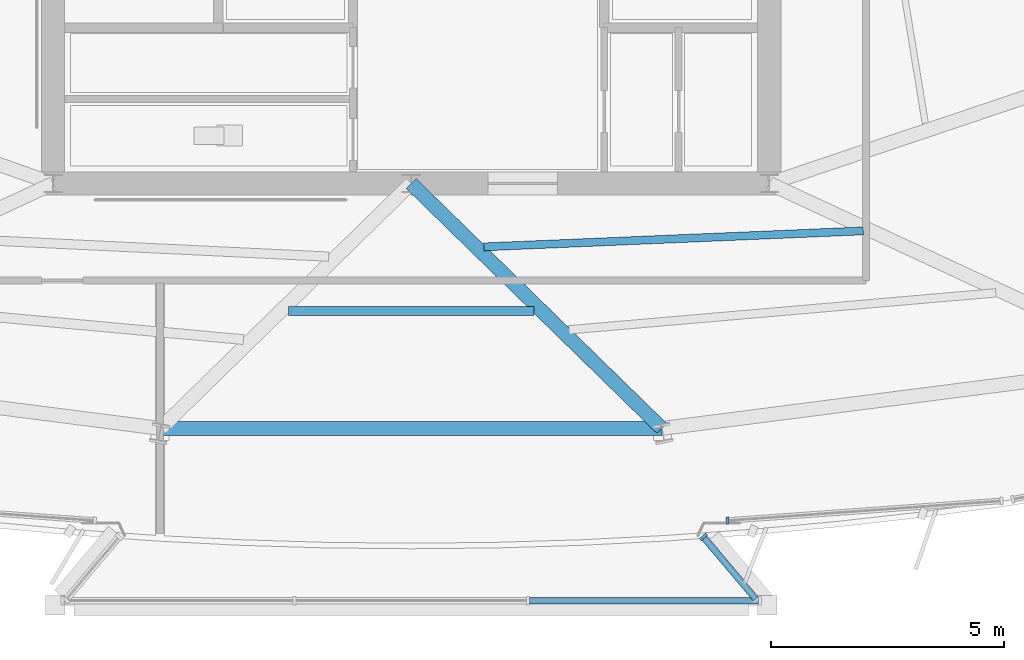
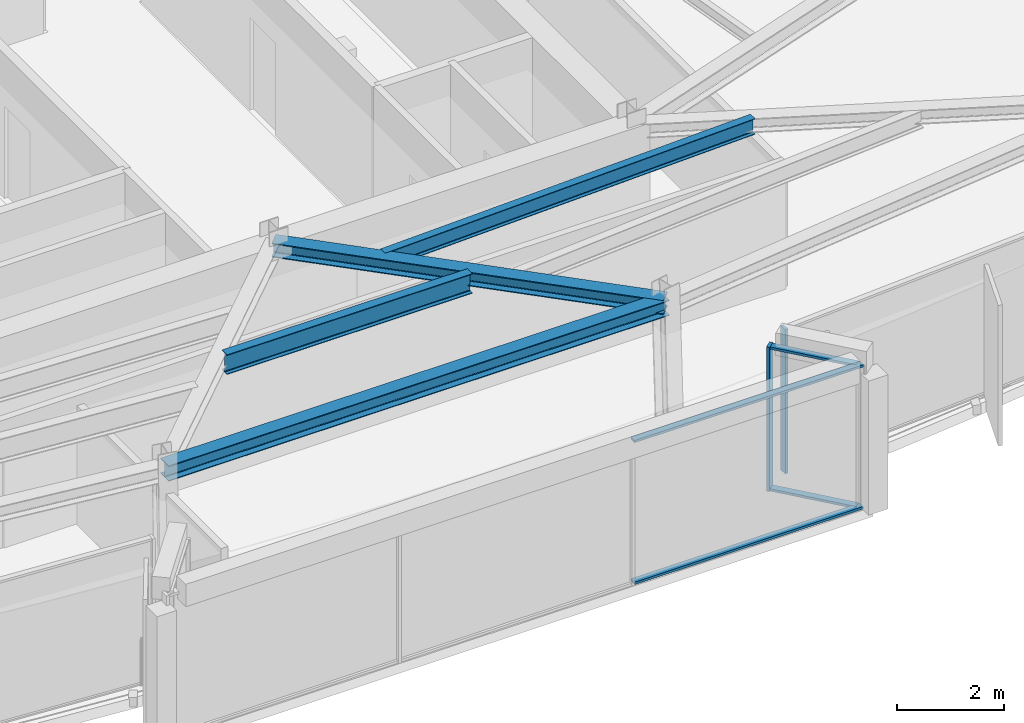
# One storey, part 3 of 14: 6 members, 4 beams, 3 elements without a shape of their own.
"""IFC4 building model written with IfcOpenShell, lengths in metres."""

from ifc_helpers import new_model, si_unit, direction, frame, origin, origin_2d, place, context, subcontext, project, spatial, rectangle, i_section, extrude, material, material_profile, profile_set, type_object, element, aggregate, save


model = new_model("IFC4")

# Units and contexts
model_context = context("Model", 3, precision=1e-05, world=origin(), true_north=direction((0.0, 1.0)))
body_context = subcontext(model_context, "Body", "Model", "MODEL_VIEW")
ifc_project = project(units=[si_unit("LENGTHUNIT", "METRE"), si_unit("AREAUNIT", "SQUARE_METRE"), si_unit("VOLUMEUNIT", "CUBIC_METRE"), si_unit("PLANEANGLEUNIT", "RADIAN"), si_unit("MASSUNIT", "GRAM", prefix="KILO")], contexts=[model_context])

# Site, building, storey
site_placement = place(None, origin())
site = spatial("IfcSite", under=ifc_project, at=site_placement, CompositionType="ELEMENT")
building_placement = place(site_placement, origin())
building = spatial("IfcBuilding", under=site, at=building_placement, Name="Savorim Split Tower", CompositionType="ELEMENT")
storey_placement = place(building_placement, frame((0.0, 0.0, 237.89990234375)))
storey = spatial("IfcBuildingStorey", under=building, at=storey_placement, Name="L63", CompositionType="ELEMENT", Elevation=237.89990234375)

# Beams
ifc_material_1 = material(Name="Steel S355", Category="steel")
ifc_material_profile_1 = material_profile(ifc_material_1, i_section(OverallWidth=0.169921875, OverallDepth=0.360107421875, WebThickness=0.008056640625, FlangeThickness=0.0126953125, FilletRadius=0.01806640625, at=origin_2d()), Name="IPE 360")
ifc_profile_set_1 = profile_set([ifc_material_profile_1], Name="Steel S355")
beam_type_1 = type_object("IfcBeamType", Name="BM-JST-IPE360", PredefinedType="JOIST", material=ifc_profile_set_1)
beam_1_placement = place(storey_placement, frame((1.560791015625, -10.76220703125, 3.10009765625), z_axis=(0.999114578305, 0.042072074093, 0.0), x_axis=(-0.042072074093, 0.999114578305, 0.0)))
element("IfcBeam", 1, at=beam_1_placement, inside=storey, type_object=beam_type_1, Name="L63 Secondary Floor Joist JS-05", PredefinedType="JOIST", context=body_context, shape_type="SweptSolid", body=[
    extrude(i_section(OverallWidth=0.169921875, OverallDepth=0.360107421875, WebThickness=0.008056640625, FlangeThickness=0.0126953125, FilletRadius=0.01806640625, at=origin_2d()), origin(), (0.0, 0.0, 1.0), 8.164794921875),
])
ifc_material_profile_2 = material_profile(ifc_material_1, i_section(OverallWidth=0.18994140625, OverallDepth=0.449951171875, WebThickness=0.009521484375, FlangeThickness=0.0146484375, FilletRadius=0.02099609375, at=origin_2d()), Name="IPE 450")
ifc_profile_set_2 = profile_set([ifc_material_profile_2], Name="Steel S355")
beam_type_2 = type_object("IfcBeamType", Name="BM-JST-IPE450", PredefinedType="JOIST", material=ifc_profile_set_2)
beam_2_placement = place(storey_placement, frame((-2.64208984375, -12.137939453125, 3.05517578125), z_axis=(1.0, 0.0, 0.0), x_axis=(0.0, 1.0, 0.0)))
element("IfcBeam", 2, at=beam_2_placement, inside=storey, type_object=beam_type_2, Name="L63 Secondary Floor Joist JS-03", PredefinedType="JOIST", context=body_context, shape_type="SweptSolid", body=[
    extrude(i_section(OverallWidth=0.18994140625, OverallDepth=0.449951171875, WebThickness=0.009521484375, FlangeThickness=0.0146484375, FilletRadius=0.02099609375, at=origin_2d()), origin(), (0.0, 0.0, 1.0), 5.2841796875),
])
ifc_material_profile_3 = material_profile(ifc_material_1, i_section(OverallWidth=0.300048828125, OverallDepth=0.320068359375, WebThickness=0.011474609375, FlangeThickness=0.0205078125, FilletRadius=0.027099609375, at=origin_2d()), Name="HEB 320")
ifc_profile_set_3 = profile_set([ifc_material_profile_3], Name="Steel S355")
beam_type_3 = type_object("IfcBeamType", Name="BM-PRI-HEB320", PredefinedType="BEAM", material=ifc_profile_set_3)
beam_3_placement = place(storey_placement, frame((5.388427734375, -14.665283203125, 3.1201171875), z_axis=(-0.715225856965, 0.698893392106, 0.0), x_axis=(-0.698893392106, -0.715225856965, 0.0)))
element("IfcBeam", 3, at=beam_3_placement, inside=storey, type_object=beam_type_3, Name="L63 Primary Floor Girder RG-03", PredefinedType="BEAM", context=body_context, shape_type="SweptSolid", body=[
    extrude(i_section(OverallWidth=0.300048828125, OverallDepth=0.320068359375, WebThickness=0.011474609375, FlangeThickness=0.0205078125, FilletRadius=0.027099609375, at=origin_2d()), origin(), (0.0, 0.0, 1.0), 7.533935546875),
])
ifc_material_profile_4 = material_profile(ifc_material_1, i_section(OverallWidth=0.300048828125, OverallDepth=0.35009765625, WebThickness=0.010009765625, FlangeThickness=0.017578125, FilletRadius=0.027099609375, at=origin_2d()), Name="HEA 360")
ifc_profile_set_4 = profile_set([ifc_material_profile_4], Name="Steel S355")
beam_type_4 = type_object("IfcBeamType", Name="BM-SPN-HEA360", PredefinedType="SPANDREL", material=ifc_profile_set_4)
beam_4_placement = place(storey_placement, frame((-5.388427734375, -14.665283203125, 3.10498046875), z_axis=(1.0, 0.0, 0.0), x_axis=(0.0, 1.0, 0.0)))
element("IfcBeam", 4, at=beam_4_placement, inside=storey, type_object=beam_type_4, Name="L63 Perimeter Spandrel Beam 2", PredefinedType="SPANDREL", context=body_context, shape_type="SweptSolid", body=[
    extrude(i_section(OverallWidth=0.300048828125, OverallDepth=0.35009765625, WebThickness=0.010009765625, FlangeThickness=0.017578125, FilletRadius=0.027099609375, at=origin_2d()), origin(), (0.0, 0.0, 1.0), 10.77685546875),
])

# Curtain wall, member
ifc_material_2 = material(Name="Dark Ceramic-Fritted Insulated Glass", Category="glass")
curtain_wall_type_1 = type_object("IfcCurtainWallType", Name="CW-TWR-FRIT-B", PredefinedType="NOTDEFINED", material=ifc_material_2)
curtain_wall_1_placement = place(storey_placement, origin())
curtain_wall_1 = element("IfcCurtainWall", 5, at=curtain_wall_1_placement, inside=storey, type_object=curtain_wall_type_1, Name="L63 Curtain Wall CW-L63-SF3A", PredefinedType="NOTDEFINED")
ifc_material_3 = material(Name="Charcoal Anodised Aluminium", Category="aluminium")
ifc_material_profile_5 = material_profile(ifc_material_3, rectangle(XDim=0.159912109375, YDim=0.06005859375, at=origin_2d()), Name="ALU-M 160x60")
ifc_profile_set_5 = profile_set([ifc_material_profile_5], Name="Charcoal Anodised Aluminium")
member_type_1 = type_object("IfcMemberType", Name="CWM-160x60", PredefinedType="MULLION", material=ifc_profile_set_5)
member_1_placement = place(storey_placement, frame((6.801513671875, -16.64453125, 0.0), z_axis=(0.0, 0.0, 1.0), x_axis=(-0.071557956097, 0.997436443549, 0.0)))
member_1 = element("IfcMember", 6, at=member_1_placement, type_object=member_type_1, Name="CW-03 mullion 1", PredefinedType="MULLION", context=body_context, shape_type="SweptSolid", body=[
    extrude(rectangle(XDim=0.159912109375, YDim=0.06005859375, at=origin_2d()), origin(), (0.0, 0.0, 1.0), 3.280029296875),
])
aggregate(curtain_wall_1, [member_1])

curtain_wall_type_2 = type_object("IfcCurtainWallType", Name="CW-BAY-LOUNGE", PredefinedType="NOTDEFINED", material=ifc_material_2)
curtain_wall_2_placement = place(storey_placement, origin())
curtain_wall_2 = element("IfcCurtainWall", 7, at=curtain_wall_2_placement, inside=storey, type_object=curtain_wall_type_2, Name="L63 Curtain Wall CW-L63-BAYE", PredefinedType="NOTDEFINED")
ifc_material_profile_6 = material_profile(ifc_material_3, rectangle(XDim=0.179931640625, YDim=0.06494140625, at=origin_2d()), Name="ALU-M 180x65")
ifc_profile_set_6 = profile_set([ifc_material_profile_6], Name="Charcoal Anodised Aluminium")
member_type_2 = type_object("IfcMemberType", Name="CWM-180x65", PredefinedType="MULLION", material=ifc_profile_set_6)
member_2_placement = place(storey_placement, frame((6.28271484375, -16.998046875, 0.0), z_axis=(0.0, 0.0, 1.0), x_axis=(-0.764177330189, -0.645006207741, 0.0)))
member_2 = element("IfcMember", 8, at=member_2_placement, type_object=member_type_2, Name="CW-04 mullion 2", PredefinedType="MULLION", context=body_context, shape_type="SweptSolid", body=[
    extrude(rectangle(XDim=0.179931640625, YDim=0.06494140625, at=origin_2d()), origin(), (0.0, 0.0, 1.0), 3.280029296875),
])

# Curtain wall, members
curtain_wall_3_placement = place(storey_placement, origin())
curtain_wall_3 = element("IfcCurtainWall", 9, at=curtain_wall_3_placement, inside=storey, type_object=curtain_wall_type_2, Name="L63 Curtain Wall CW-L63-BAYF", PredefinedType="NOTDEFINED")
ifc_material_profile_7 = material_profile(ifc_material_3, rectangle(XDim=0.139892578125, YDim=0.054931640625, at=origin_2d()), Name="ALU-T 140x55")
ifc_profile_set_7 = profile_set([ifc_material_profile_7], Name="Charcoal Anodised Aluminium")
member_type_3 = type_object("IfcMemberType", Name="CWT-140x55", PredefinedType="USERDEFINED", material=ifc_profile_set_7)
member_3_placement = place(storey_placement, frame((2.5439453125, -18.36767578125, 0.027587890625), z_axis=(1.0, 0.0, 0.0), x_axis=(0.0, 1.0, 0.0)))
member_3 = element("IfcMember", 10, at=member_3_placement, type_object=member_type_3, Name="CW-04 transom 3.1", ObjectType="TRANSOM", PredefinedType="USERDEFINED", context=body_context, shape_type="SweptSolid", body=[
    extrude(rectangle(XDim=0.139892578125, YDim=0.054931640625, at=origin_2d()), origin(), (0.0, 0.0, 1.0), 4.925048828125),
])
member_4_placement = place(storey_placement, frame((2.5439453125, -18.36767578125, 3.252685546875), z_axis=(1.0, 0.0, 0.0), x_axis=(0.0, 1.0, 0.0)))
member_4 = element("IfcMember", 11, at=member_4_placement, type_object=member_type_3, Name="CW-04 transom 3.2", ObjectType="TRANSOM", PredefinedType="USERDEFINED", context=body_context, shape_type="SweptSolid", body=[
    extrude(rectangle(XDim=0.139892578125, YDim=0.054931640625, at=origin_2d()), origin(), (0.0, 0.0, 1.0), 4.925048828125),
])
aggregate(curtain_wall_3, [member_3, member_4])

# Member
member_5_placement = place(storey_placement, frame((7.403564453125, -18.325927734375, 0.027587890625), z_axis=(-0.644959790456, 0.764216506427, 0.0), x_axis=(-0.764216506427, -0.644959790456, 0.0)))
member_5 = element("IfcMember", 12, at=member_5_placement, type_object=member_type_3, Name="CW-04 transom 1.1", ObjectType="TRANSOM", PredefinedType="USERDEFINED", context=body_context, shape_type="SweptSolid", body=[
    extrude(rectangle(XDim=0.139892578125, YDim=0.054931640625, at=origin_2d()), origin(), (0.0, 0.0, 1.0), 1.705322265625),
])

member_6_placement = place(storey_placement, frame((7.403564453125, -18.325927734375, 3.252685546875), z_axis=(-0.644959790456, 0.764216506427, 0.0), x_axis=(-0.764216506427, -0.644959790456, 0.0)))
member_6 = element("IfcMember", 13, at=member_6_placement, type_object=member_type_3, Name="CW-04 transom 1.2", ObjectType="TRANSOM", PredefinedType="USERDEFINED", context=body_context, shape_type="SweptSolid", body=[
    extrude(rectangle(XDim=0.139892578125, YDim=0.054931640625, at=origin_2d()), origin(), (0.0, 0.0, 1.0), 1.705322265625),
])

aggregate(curtain_wall_2, [member_2, member_5, member_6])

save(model, "model.ifc")
